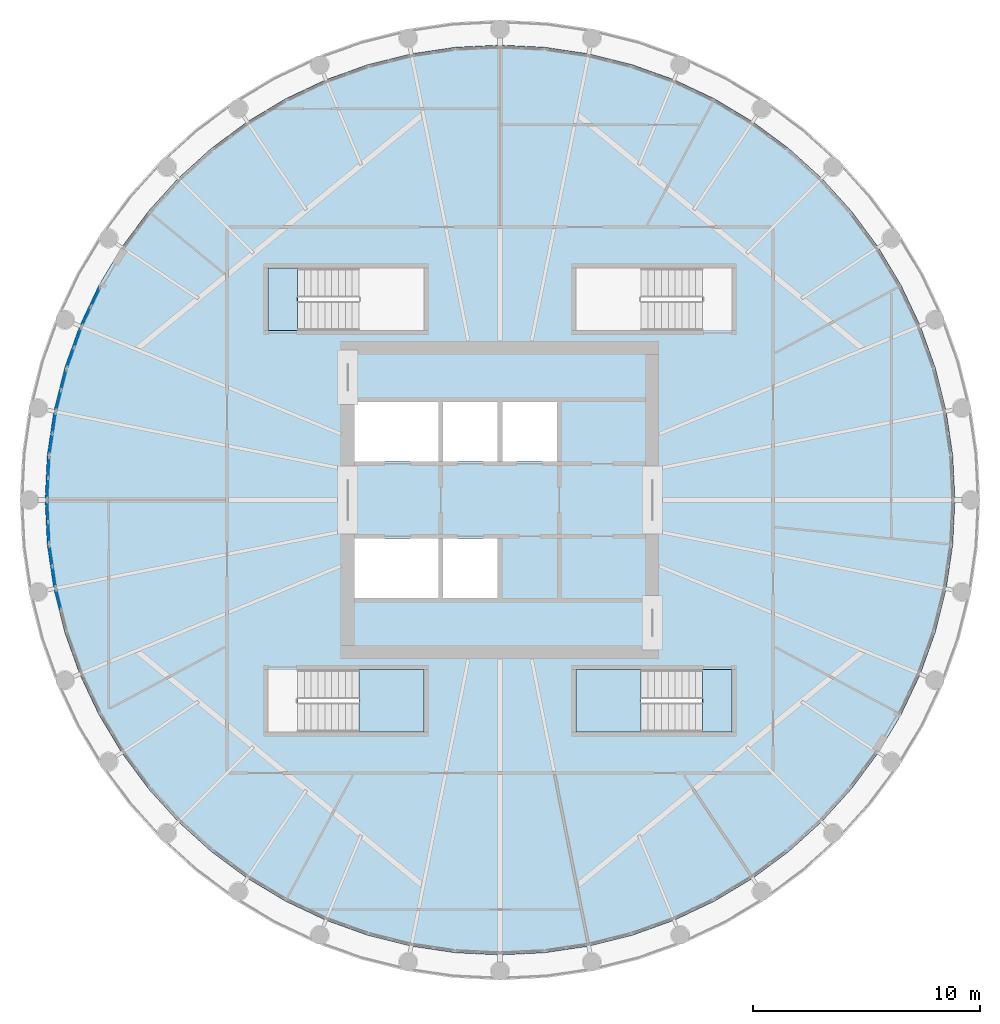
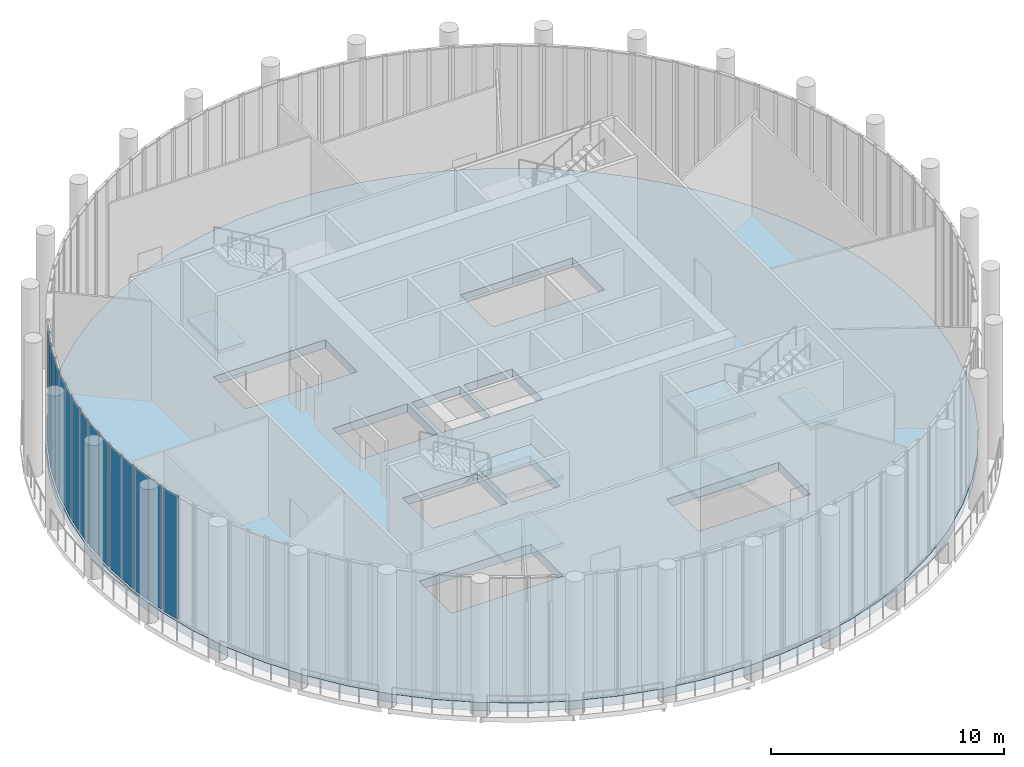
# One storey, part 13 of 21: 15 plates, 7 slabs, 11 elements without a shape of their own.
"""IFC4 building model written with IfcOpenShell, lengths in metres."""

from ifc_helpers import new_model, si_unit, direction, frame, origin, origin_2d, place, context, subcontext, project, spatial, polyline, rectangle, outline, extrude, material, layer, layer_set, type_object, element, aggregate, save


model = new_model("IFC4")

# Units and contexts
model_context = context("Model", 3, precision=1e-05, world=origin(), true_north=direction((0.0, 1.0)))
body_context = subcontext(model_context, "Body", "Model", "MODEL_VIEW")
ifc_project = project(units=[si_unit("LENGTHUNIT", "METRE"), si_unit("AREAUNIT", "SQUARE_METRE"), si_unit("VOLUMEUNIT", "CUBIC_METRE"), si_unit("PLANEANGLEUNIT", "RADIAN"), si_unit("MASSUNIT", "GRAM", prefix="KILO")], contexts=[model_context])

# Site, building, storey
site_placement = place(None, origin())
site = spatial("IfcSite", under=ifc_project, at=site_placement, CompositionType="ELEMENT")
building_placement = place(site_placement, origin())
building = spatial("IfcBuilding", under=site, at=building_placement, Name="Corvane Civic Tower", CompositionType="ELEMENT")
storey_placement = place(building_placement, frame((0.0, 0.0, 380.5)))
storey = spatial("IfcBuildingStorey", under=building, at=storey_placement, Name="L91", CompositionType="ELEMENT", Elevation=380.5)

# Curtain wall, plates
ifc_material_1 = material(Name="Aluminium and glass", Category="aluminium")
curtain_wall_type = type_object("IfcCurtainWallType", Name="CROWN-CW-O-RUN", PredefinedType="NOTDEFINED", material=ifc_material_1)
curtain_wall_1_placement = place(storey_placement, origin())
curtain_wall_1 = element("IfcCurtainWall", 1, at=curtain_wall_1_placement, inside=storey, type_object=curtain_wall_type, Name="CW-O run L91 12", PredefinedType="NOTDEFINED")
ifc_material_2 = material(Name="Glass tinted low-e laminated", Category="glass")
ifc_layer_1 = layer(ifc_material_2, 0.035888671875)
ifc_layer_set_1 = layer_set([ifc_layer_1], Name="Glass tinted low-e laminated")
plate_type = type_object("IfcPlateType", Name="CROWN-CWO-PANEL-IGU36", PredefinedType="CURTAIN_PANEL", material=ifc_layer_set_1)
plate_1_placement = place(storey_placement, frame((-17.777587890625, 8.92333984375, 0.06005859375), z_axis=(0.0, 0.0, 1.0), x_axis=(-0.427509457959, -0.904010875684, 0.0)))
plate_1 = element("IfcPlate", 2, at=plate_1_placement, type_object=plate_type, Name="CW-O panel 1.1", PredefinedType="CURTAIN_PANEL", context=body_context, shape_type="SweptSolid", body=[
    extrude(rectangle(XDim=0.871337890625, YDim=0.035888671875, at=origin_2d()), origin(), (0.0, 0.0, 1.0), 6.429931640625),
])
plate_2_placement = place(storey_placement, frame((-18.17578125, 8.081298828125, 0.06005859375), z_axis=(0.0, 0.0, 1.0), x_axis=(-0.427509457959, -0.904010875684, 0.0)))
plate_2 = element("IfcPlate", 3, at=plate_2_placement, type_object=plate_type, Name="CW-O panel 2.1", PredefinedType="CURTAIN_PANEL", context=body_context, shape_type="SweptSolid", body=[
    extrude(rectangle(XDim=0.871337890625, YDim=0.035888671875, at=origin_2d()), origin(), (0.0, 0.0, 1.0), 6.429931640625),
])
aggregate(curtain_wall_1, [plate_1, plate_2])

curtain_wall_2_placement = place(storey_placement, origin())
curtain_wall_2 = element("IfcCurtainWall", 4, at=curtain_wall_2_placement, inside=storey, type_object=curtain_wall_type, Name="CW-O run L91 13", PredefinedType="NOTDEFINED")
plate_3_placement = place(storey_placement, frame((-18.566650390625, 7.1376953125, 0.06005859375), z_axis=(0.0, 0.0, 1.0), x_axis=(-0.336982106999, -0.941511051216, 0.0)))
plate_3 = element("IfcPlate", 5, at=plate_3_placement, type_object=plate_type, Name="CW-O panel 1.1", PredefinedType="CURTAIN_PANEL", context=body_context, shape_type="SweptSolid", body=[
    extrude(rectangle(XDim=0.871337890625, YDim=0.035888671875, at=origin_2d()), origin(), (0.0, 0.0, 1.0), 6.429931640625),
])
plate_4_placement = place(storey_placement, frame((-18.88037109375, 6.260986328125, 0.06005859375), z_axis=(0.0, 0.0, 1.0), x_axis=(-0.336982106999, -0.941511051216, 0.0)))
plate_4 = element("IfcPlate", 6, at=plate_4_placement, type_object=plate_type, Name="CW-O panel 2.1", PredefinedType="CURTAIN_PANEL", context=body_context, shape_type="SweptSolid", body=[
    extrude(rectangle(XDim=0.871337890625, YDim=0.035888671875, at=origin_2d()), origin(), (0.0, 0.0, 1.0), 6.429931640625),
])
aggregate(curtain_wall_2, [plate_3, plate_4])

curtain_wall_3_placement = place(storey_placement, origin())
curtain_wall_3 = element("IfcCurtainWall", 7, at=curtain_wall_3_placement, inside=storey, type_object=curtain_wall_type, Name="CW-O run L91 14", PredefinedType="NOTDEFINED")
plate_5_placement = place(storey_placement, frame((-19.177001953125, 5.28369140625, 0.06005859375), z_axis=(0.0, 0.0, 1.0), x_axis=(-0.242951704982, -0.970038385347, 0.0)))
plate_5 = element("IfcPlate", 8, at=plate_5_placement, type_object=plate_type, Name="CW-O panel 1.1", PredefinedType="CURTAIN_PANEL", context=body_context, shape_type="SweptSolid", body=[
    extrude(rectangle(XDim=0.871337890625, YDim=0.035888671875, at=origin_2d()), origin(), (0.0, 0.0, 1.0), 6.429931640625),
])
plate_6_placement = place(storey_placement, frame((-19.403076171875, 4.380126953125, 0.06005859375), z_axis=(0.0, 0.0, 1.0), x_axis=(-0.242951704982, -0.970038385347, 0.0)))
plate_6 = element("IfcPlate", 9, at=plate_6_placement, type_object=plate_type, Name="CW-O panel 2.1", PredefinedType="CURTAIN_PANEL", context=body_context, shape_type="SweptSolid", body=[
    extrude(rectangle(XDim=0.871337890625, YDim=0.035888671875, at=origin_2d()), origin(), (0.0, 0.0, 1.0), 6.429931640625),
])
aggregate(curtain_wall_3, [plate_5, plate_6])

curtain_wall_4_placement = place(storey_placement, origin())
curtain_wall_4 = element("IfcCurtainWall", 10, at=curtain_wall_4_placement, inside=storey, type_object=curtain_wall_type, Name="CW-O run L91 15", PredefinedType="NOTDEFINED")
plate_7_placement = place(storey_placement, frame((-19.602294921875, 3.378662109375, 0.06005859375), z_axis=(0.0, 0.0, 1.0), x_axis=(-0.146771076941, -0.989170486303, 0.0)))
plate_7 = element("IfcPlate", 11, at=plate_7_placement, type_object=plate_type, Name="CW-O panel 1.1", PredefinedType="CURTAIN_PANEL", context=body_context, shape_type="SweptSolid", body=[
    extrude(rectangle(XDim=0.871337890625, YDim=0.035888671875, at=origin_2d()), origin(), (0.0, 0.0, 1.0), 6.429931640625),
])
plate_8_placement = place(storey_placement, frame((-19.739013671875, 2.457275390625, 0.06005859375), z_axis=(0.0, 0.0, 1.0), x_axis=(-0.146771076941, -0.989170486303, 0.0)))
plate_8 = element("IfcPlate", 12, at=plate_8_placement, type_object=plate_type, Name="CW-O panel 2.1", PredefinedType="CURTAIN_PANEL", context=body_context, shape_type="SweptSolid", body=[
    extrude(rectangle(XDim=0.871337890625, YDim=0.035888671875, at=origin_2d()), origin(), (0.0, 0.0, 1.0), 6.429931640625),
])
aggregate(curtain_wall_4, [plate_7, plate_8])

curtain_wall_5_placement = place(storey_placement, origin())
curtain_wall_5 = element("IfcCurtainWall", 13, at=curtain_wall_5_placement, inside=storey, type_object=curtain_wall_type, Name="CW-O run L91 16", PredefinedType="NOTDEFINED")
plate_9_placement = place(storey_placement, frame((-19.839111328125, 1.44091796875, 0.06005859375), z_axis=(0.0, 0.0, 1.0), x_axis=(-0.048990829113, -0.998799228405, 0.0)))
plate_9 = element("IfcPlate", 14, at=plate_9_placement, type_object=plate_type, Name="CW-O panel 1.1", PredefinedType="CURTAIN_PANEL", context=body_context, shape_type="SweptSolid", body=[
    extrude(rectangle(XDim=0.871337890625, YDim=0.035888671875, at=origin_2d()), origin(), (0.0, 0.0, 1.0), 6.429931640625),
])
plate_10_placement = place(storey_placement, frame((-19.884765625, 0.5107421875, 0.06005859375), z_axis=(0.0, 0.0, 1.0), x_axis=(-0.048990829113, -0.998799228405, 0.0)))
plate_10 = element("IfcPlate", 15, at=plate_10_placement, type_object=plate_type, Name="CW-O panel 2.1", PredefinedType="CURTAIN_PANEL", context=body_context, shape_type="SweptSolid", body=[
    extrude(rectangle(XDim=0.871337890625, YDim=0.035888671875, at=origin_2d()), origin(), (0.0, 0.0, 1.0), 6.429931640625),
])
aggregate(curtain_wall_5, [plate_9, plate_10])

curtain_wall_6_placement = place(storey_placement, origin())
curtain_wall_6 = element("IfcCurtainWall", 16, at=curtain_wall_6_placement, inside=storey, type_object=curtain_wall_type, Name="CW-O run L91 17", PredefinedType="NOTDEFINED")
plate_11_placement = place(storey_placement, frame((-19.884765625, -0.5107421875, 0.06005859375), z_axis=(0.0, 0.0, 1.0), x_axis=(0.048990829113, -0.998799228405, 0.0)))
plate_11 = element("IfcPlate", 17, at=plate_11_placement, type_object=plate_type, Name="CW-O panel 1.1", PredefinedType="CURTAIN_PANEL", context=body_context, shape_type="SweptSolid", body=[
    extrude(rectangle(XDim=0.871337890625, YDim=0.035888671875, at=origin_2d()), origin(), (0.0, 0.0, 1.0), 6.429931640625),
])
plate_12_placement = place(storey_placement, frame((-19.839111328125, -1.44091796875, 0.06005859375), z_axis=(0.0, 0.0, 1.0), x_axis=(0.048990829113, -0.998799228405, 0.0)))
plate_12 = element("IfcPlate", 18, at=plate_12_placement, type_object=plate_type, Name="CW-O panel 2.1", PredefinedType="CURTAIN_PANEL", context=body_context, shape_type="SweptSolid", body=[
    extrude(rectangle(XDim=0.871337890625, YDim=0.035888671875, at=origin_2d()), origin(), (0.0, 0.0, 1.0), 6.429931640625),
])
aggregate(curtain_wall_6, [plate_11, plate_12])

curtain_wall_7_placement = place(storey_placement, origin())
curtain_wall_7 = element("IfcCurtainWall", 19, at=curtain_wall_7_placement, inside=storey, type_object=curtain_wall_type, Name="CW-O run L91 18", PredefinedType="NOTDEFINED")
plate_13_placement = place(storey_placement, frame((-19.739013671875, -2.457275390625, 0.06005859375), z_axis=(0.0, 0.0, 1.0), x_axis=(0.146771076941, -0.989170486303, 0.0)))
plate_13 = element("IfcPlate", 20, at=plate_13_placement, type_object=plate_type, Name="CW-O panel 1.1", PredefinedType="CURTAIN_PANEL", context=body_context, shape_type="SweptSolid", body=[
    extrude(rectangle(XDim=0.871337890625, YDim=0.035888671875, at=origin_2d()), origin(), (0.0, 0.0, 1.0), 6.429931640625),
])
plate_14_placement = place(storey_placement, frame((-19.602294921875, -3.378662109375, 0.06005859375), z_axis=(0.0, 0.0, 1.0), x_axis=(0.146771076941, -0.989170486303, 0.0)))
plate_14 = element("IfcPlate", 21, at=plate_14_placement, type_object=plate_type, Name="CW-O panel 2.1", PredefinedType="CURTAIN_PANEL", context=body_context, shape_type="SweptSolid", body=[
    extrude(rectangle(XDim=0.871337890625, YDim=0.035888671875, at=origin_2d()), origin(), (0.0, 0.0, 1.0), 6.429931640625),
])
aggregate(curtain_wall_7, [plate_13, plate_14])

# Curtain wall, plate
curtain_wall_8_placement = place(storey_placement, origin())
curtain_wall_8 = element("IfcCurtainWall", 22, at=curtain_wall_8_placement, inside=storey, type_object=curtain_wall_type, Name="CW-O run L91 19", PredefinedType="NOTDEFINED")
plate_15_placement = place(storey_placement, frame((-19.403076171875, -4.380126953125, 0.06005859375), z_axis=(0.0, 0.0, 1.0), x_axis=(0.242951704982, -0.970038385347, 0.0)))
plate_15 = element("IfcPlate", 23, at=plate_15_placement, type_object=plate_type, Name="CW-O panel 1.1", PredefinedType="CURTAIN_PANEL", context=body_context, shape_type="SweptSolid", body=[
    extrude(rectangle(XDim=0.871337890625, YDim=0.035888671875, at=origin_2d()), origin(), (0.0, 0.0, 1.0), 6.429931640625),
])
aggregate(curtain_wall_8, [plate_15])

# Stair, slabs
ifc_material_3 = material(Name="Concrete C40/50", Category="concrete")
stair_type = type_object("IfcStairType", Name="ST-STAIR-HALFTURN", PredefinedType="HALF_TURN_STAIR", material=ifc_material_3)
stair_1_placement = place(storey_placement, origin())
stair_1 = element("IfcStair", 24, at=stair_1_placement, inside=storey, type_object=stair_type, Name="L91 Exit stair ST2", PredefinedType="HALF_TURN_STAIR")
ifc_material_4 = material(Name="Concrete C40/50", Category="concrete")
ifc_layer_2 = layer(ifc_material_4, 0.199951171875)
ifc_layer_set_2 = layer_set([ifc_layer_2], Name="Concrete C40/50")
slab_type_1 = type_object("IfcSlabType", Name="ST-LANDING-RC", PredefinedType="LANDING", material=ifc_layer_set_2)
slab_1_placement = place(storey_placement, frame((0.0, 0.0, 1.550048828125)))
slab_1 = element("IfcSlab", 25, at=slab_1_placement, type_object=slab_type_1, Name="ST2 landing 1", PredefinedType="LANDING", context=body_context, shape_type="SweptSolid", body=[
    extrude(outline(polyline([(6.199951171875, -7.449951171875), (3.35009765625, -7.449951171875), (3.35009765625, -10.199951171875), (6.199951171875, -10.199951171875), (6.199951171875, -7.449951171875)])), origin(), (0.0, 0.0, 1.0), 0.199951171875),
])
slab_2_placement = place(storey_placement, frame((0.0, 0.0, 3.300048828125)))
slab_2 = element("IfcSlab", 26, at=slab_2_placement, type_object=slab_type_1, Name="ST2 landing 2", PredefinedType="LANDING", context=body_context, shape_type="SweptSolid", body=[
    extrude(outline(polyline([(10.199951171875, -7.449951171875), (8.89990234375, -7.449951171875), (8.89990234375, -10.199951171875), (10.199951171875, -10.199951171875), (10.199951171875, -7.449951171875)])), origin(), (0.0, 0.0, 1.0), 0.199951171875),
])
slab_3_placement = place(storey_placement, frame((0.0, 0.0, 5.050048828125)))
slab_3 = element("IfcSlab", 27, at=slab_3_placement, type_object=slab_type_1, Name="ST2 landing 3", PredefinedType="LANDING", context=body_context, shape_type="SweptSolid", body=[
    extrude(outline(polyline([(6.199951171875, -7.449951171875), (3.35009765625, -7.449951171875), (3.35009765625, -10.199951171875), (6.199951171875, -10.199951171875), (6.199951171875, -7.449951171875)])), origin(), (0.0, 0.0, 1.0), 0.199951171875),
])
aggregate(stair_1, [slab_1, slab_2, slab_3])

stair_2_placement = place(storey_placement, origin())
stair_2 = element("IfcStair", 28, at=stair_2_placement, inside=storey, type_object=stair_type, Name="L91 Exit stair ST3", PredefinedType="HALF_TURN_STAIR")
slab_4_placement = place(storey_placement, frame((0.0, 0.0, 1.550048828125)))
slab_4 = element("IfcSlab", 29, at=slab_4_placement, type_object=slab_type_1, Name="ST3 landing 1", PredefinedType="LANDING", context=body_context, shape_type="SweptSolid", body=[
    extrude(outline(polyline([(-6.199951171875, -10.199951171875), (-3.35009765625, -10.199951171875), (-3.35009765625, -7.449951171875), (-6.199951171875, -7.449951171875), (-6.199951171875, -10.199951171875)])), origin(), (0.0, 0.0, 1.0), 0.199951171875),
])
slab_5_placement = place(storey_placement, frame((0.0, 0.0, 5.050048828125)))
slab_5 = element("IfcSlab", 30, at=slab_5_placement, type_object=slab_type_1, Name="ST3 landing 3", PredefinedType="LANDING", context=body_context, shape_type="SweptSolid", body=[
    extrude(outline(polyline([(-6.199951171875, -10.199951171875), (-3.35009765625, -10.199951171875), (-3.35009765625, -7.449951171875), (-6.199951171875, -7.449951171875), (-6.199951171875, -10.199951171875)])), origin(), (0.0, 0.0, 1.0), 0.199951171875),
])
aggregate(stair_2, [slab_4, slab_5])

# Stair, slab
stair_3_placement = place(storey_placement, origin())
stair_3 = element("IfcStair", 31, at=stair_3_placement, inside=storey, type_object=stair_type, Name="L91 Exit stair ST4", PredefinedType="HALF_TURN_STAIR")
slab_6_placement = place(storey_placement, frame((0.0, 0.0, 3.300048828125)))
slab_6 = element("IfcSlab", 32, at=slab_6_placement, type_object=slab_type_1, Name="ST4 landing 2", PredefinedType="LANDING", context=body_context, shape_type="SweptSolid", body=[
    extrude(outline(polyline([(-10.199951171875, 7.449951171875), (-8.89990234375, 7.449951171875), (-8.89990234375, 10.199951171875), (-10.199951171875, 10.199951171875), (-10.199951171875, 7.449951171875)])), origin(), (0.0, 0.0, 1.0), 0.199951171875),
])
aggregate(stair_3, [slab_6])

# Slab
ifc_material_5 = material(Name="Concrete C50/60", Category="concrete")
ifc_layer_3 = layer(ifc_material_5, 0.449951171875)
ifc_layer_set_3 = layer_set([ifc_layer_3], Name="Concrete C50/60")
slab_type_2 = type_object("IfcSlabType", Name="TRANSFER FLOOR SLAB 450", PredefinedType="FLOOR", material=ifc_layer_set_3)
slab_7_placement = place(storey_placement, frame((0.0, 0.0, -0.449951171875)))
element("IfcSlab", 33, at=slab_7_placement, inside=storey, type_object=slab_type_2, Name="SLB-L91", PredefinedType="FLOOR", context=body_context, shape_type="SweptSolid", body=[
    extrude(outline(polyline([(0.0, 20.0), (-1.96044921875, 19.90380859375), (-3.90185546875, 19.61572265625), (-5.8056640625, 19.138916015625), (-7.653564453125, 18.4775390625), (-9.427978515625, 17.638427734375), (-11.111328125, 16.62939453125), (-12.687744140625, 15.460205078125), (-14.14208984375, 14.14208984375), (-15.460205078125, 12.687744140625), (-16.62939453125, 11.111328125), (-17.638427734375, 9.427978515625), (-18.4775390625, 7.653564453125), (-19.138916015625, 5.8056640625), (-19.61572265625, 3.90185546875), (-19.90380859375, 1.96044921875), (-20.0, 0.0), (-19.90380859375, -1.96044921875), (-19.61572265625, -3.90185546875), (-19.138916015625, -5.8056640625), (-18.4775390625, -7.653564453125), (-17.638427734375, -9.427978515625), (-16.62939453125, -11.111328125), (-15.460205078125, -12.687744140625), (-14.14208984375, -14.14208984375), (-12.687744140625, -15.460205078125), (-11.111328125, -16.62939453125), (-9.427978515625, -17.638427734375), (-7.653564453125, -18.4775390625), (-5.8056640625, -19.138916015625), (-3.90185546875, -19.61572265625), (-1.96044921875, -19.90380859375), (0.0, -20.0), (1.96044921875, -19.90380859375), (3.90185546875, -19.61572265625), (5.8056640625, -19.138916015625), (7.653564453125, -18.4775390625), (9.427978515625, -17.638427734375), (11.111328125, -16.62939453125), (12.687744140625, -15.460205078125), (14.14208984375, -14.14208984375), (15.460205078125, -12.687744140625), (16.62939453125, -11.111328125), (17.638427734375, -9.427978515625), (18.4775390625, -7.653564453125), (19.138916015625, -5.8056640625), (19.61572265625, -3.90185546875), (19.90380859375, -1.96044921875), (20.0, 0.0), (19.90380859375, 1.96044921875), (19.61572265625, 3.90185546875), (19.138916015625, 5.8056640625), (18.4775390625, 7.653564453125), (17.638427734375, 9.427978515625), (16.62939453125, 11.111328125), (15.460205078125, 12.687744140625), (14.14208984375, 14.14208984375), (12.687744140625, 15.460205078125), (11.111328125, 16.62939453125), (9.427978515625, 17.638427734375), (7.653564453125, 18.4775390625), (5.8056640625, 19.138916015625), (3.90185546875, 19.61572265625), (1.96044921875, 19.90380859375), (0.0, 20.0)]), holes=[polyline([(-6.39990234375, 4.300048828125), (-2.699951171875, 4.300048828125), (-2.699951171875, 1.699951171875), (-6.39990234375, 1.699951171875), (-6.39990234375, 4.300048828125)]), polyline([(-2.5, 4.300048828125), (-0.10009765625, 4.300048828125), (-0.10009765625, 1.699951171875), (-2.5, 1.699951171875), (-2.5, 4.300048828125)]), polyline([(0.10009765625, 4.300048828125), (2.5, 4.300048828125), (2.5, 1.699951171875), (0.10009765625, 1.699951171875), (0.10009765625, 4.300048828125)]), polyline([(-6.39990234375, -1.699951171875), (-2.699951171875, -1.699951171875), (-2.699951171875, -4.300048828125), (-6.39990234375, -4.300048828125), (-6.39990234375, -1.699951171875)]), polyline([(-0.10009765625, -4.300048828125), (-2.5, -4.300048828125), (-2.5, -1.699951171875), (-0.10009765625, -1.699951171875), (-0.10009765625, -4.300048828125)]), polyline([(8.889892578125, 10.199951171875), (8.889892578125, 7.449951171875), (3.35009765625, 7.449951171875), (3.35009765625, 10.199951171875), (8.889892578125, 10.199951171875)]), polyline([(-8.889892578125, 7.449951171875), (-8.889892578125, 10.199951171875), (-3.35009765625, 10.199951171875), (-3.35009765625, 7.449951171875), (-8.889892578125, 7.449951171875)]), polyline([(8.889892578125, -7.449951171875), (8.889892578125, -10.199951171875), (3.35009765625, -10.199951171875), (3.35009765625, -7.449951171875), (8.889892578125, -7.449951171875)]), polyline([(-8.889892578125, -10.199951171875), (-8.889892578125, -7.449951171875), (-3.35009765625, -7.449951171875), (-3.35009765625, -10.199951171875), (-8.889892578125, -10.199951171875)])]), origin(), (0.0, 0.0, 1.0), 0.449951171875),
])

save(model, "model.ifc")
